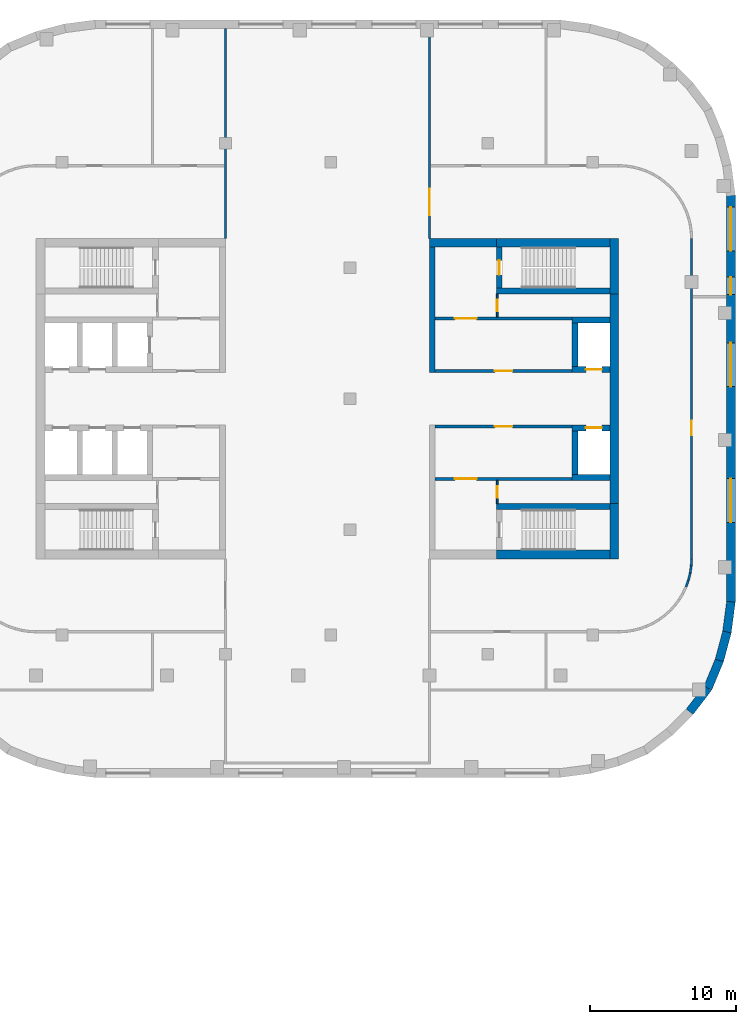
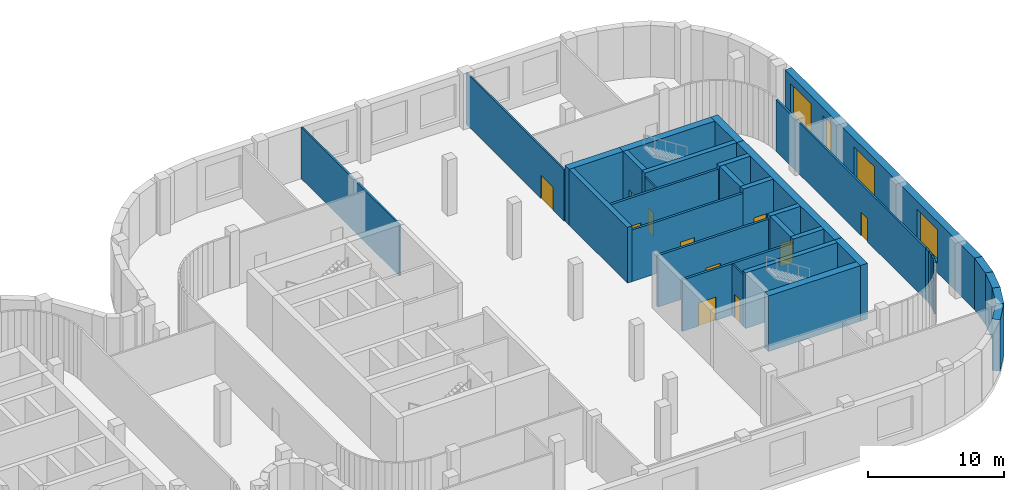
# One storey, part 14 of 18: 34 walls, 11 doors, 4 windows, 15 openings.
"""IFC4 building model written with IfcOpenShell, lengths in metres."""

from ifc_helpers import new_model, si_unit, direction, frame, frame_2d, origin, place, context, subcontext, project, spatial, rectangle, extrude, material, layer, layer_set, type_object, element, fill, save


model = new_model("IFC4")

# Units and contexts
model_context = context("Model", 3, precision=1e-05, world=origin(), true_north=direction((0.0, 1.0)))
body_context = subcontext(model_context, "Body", "Model", "MODEL_VIEW")
ifc_project = project(units=[si_unit("LENGTHUNIT", "METRE"), si_unit("AREAUNIT", "SQUARE_METRE"), si_unit("VOLUMEUNIT", "CUBIC_METRE"), si_unit("PLANEANGLEUNIT", "RADIAN"), si_unit("MASSUNIT", "GRAM", prefix="KILO")], contexts=[model_context])

# Site, building, storey
site_placement = place(None, origin())
site = spatial("IfcSite", under=ifc_project, at=site_placement, CompositionType="ELEMENT")
building_placement = place(site_placement, origin())
building = spatial("IfcBuilding", under=site, at=building_placement, Name="Skarvind Civic Tower", CompositionType="ELEMENT")
storey_placement = place(building_placement, frame((0.0, 0.0, 22.5)))
storey = spatial("IfcBuildingStorey", under=building, at=storey_placement, Name="L04", CompositionType="ELEMENT", Elevation=22.5)

# Wall, opening, door
ifc_material_1 = material(Name="Fire-rated masonry partition", Category="masonry")
ifc_layer_1 = layer(ifc_material_1, 0.199951171875)
ifc_layer_set_1 = layer_set([ifc_layer_1], Name="Core enclosure wall 200")
wall_type_1 = type_object("IfcWallType", Name="Core enclosure wall 200", PredefinedType="PARTITIONING", material=ifc_layer_set_1)
wall_1_placement = place(storey_placement, frame((163.800048828125, 126.10009765625, 0.0), z_axis=(0.0, 0.0, 1.0), x_axis=(-1.0, 0.0, 0.0)))
wall_1 = element("IfcWall", 1, at=wall_1_placement, inside=storey, type_object=wall_type_1, Name="Core wall CB", PredefinedType="PARTITIONING", context=body_context, shape_type="SweptSolid", body=[
    extrude(rectangle(XDim=9.400146484375, YDim=0.199951171875, at=frame_2d((4.7001953125, 0.0))), origin(), (0.0, 0.0, 1.0), 4.625),
])
opening_1_placement = place(wall_1_placement, frame((4.10009765625, 0.0, 0.0)))
opening_1 = element("IfcOpeningElement", 2, at=opening_1_placement, cuts=wall_1, Name="Opening D-L04-CB-03", PredefinedType="OPENING", context=body_context, shape_type="SweptSolid", body=[
    extrude(rectangle(XDim=1.199951171875, YDim=2.10009765625, at=frame_2d((0.60009765625, 1.050048828125))), frame((0.0, 0.10986328125, 0.0), z_axis=(0.0, -1.0, 0.0), x_axis=(1.0, 0.0, 0.0)), (0.0, 0.0, 1.0), 0.219970703125),
])
ifc_material_2 = material(Name="Fire-rated steel door", Category="steel")
door_type_1 = type_object("IfcDoorType", Name="Core lobby door 1200", OperationType="NOTDEFINED", PredefinedType="DOOR", material=ifc_material_2)
door_1_placement = place(opening_1_placement, origin())
door_1 = element("IfcDoor", 3, at=door_1_placement, inside=storey, type_object=door_type_1, Name="Fire door", OperationType="DOUBLE_DOOR_SINGLE_SWING", OverallHeight=2.10009765625, OverallWidth=1.199951171875, PredefinedType="DOOR", context=body_context, shape_type="SweptSolid", body=[
    extrude(rectangle(XDim=1.199951171875, YDim=2.10009765625, at=frame_2d((0.60009765625, 1.050048828125))), frame((0.0, 0.02490234375, 0.0), z_axis=(0.0, -1.0, 0.0), x_axis=(1.0, 0.0, 0.0)), (0.0, 0.0, 1.0), 0.050048828125),
])
fill(opening_1, door_1)

wall_2_placement = place(storey_placement, frame((163.800048828125, 122.5, 0.0), z_axis=(0.0, 0.0, 1.0), x_axis=(-1.0, 0.0, 0.0)))
wall_2 = element("IfcWall", 4, at=wall_2_placement, inside=storey, type_object=wall_type_1, Name="Core wall CB", PredefinedType="PARTITIONING", context=body_context, shape_type="SweptSolid", body=[
    extrude(rectangle(XDim=9.400146484375, YDim=0.199951171875, at=frame_2d((4.7001953125, 0.0))), origin(), (0.0, 0.0, 1.0), 4.625),
])
opening_2_placement = place(wall_2_placement, frame((6.550048828125, 0.0, 0.0)))
opening_2 = element("IfcOpeningElement", 5, at=opening_2_placement, cuts=wall_2, Name="Opening D-L04-CB-04", PredefinedType="OPENING", context=body_context, shape_type="SweptSolid", body=[
    extrude(rectangle(XDim=1.5, YDim=2.10009765625, at=frame_2d((0.75, 1.050048828125))), frame((0.0, 0.10986328125, 0.0), z_axis=(0.0, -1.0, 0.0), x_axis=(1.0, 0.0, 0.0)), (0.0, 0.0, 1.0), 0.219970703125),
])
door_type_2 = type_object("IfcDoorType", Name="Fire door 1500", OperationType="NOTDEFINED", PredefinedType="DOOR", material=ifc_material_2)
door_2_placement = place(opening_2_placement, origin())
door_2 = element("IfcDoor", 6, at=door_2_placement, inside=storey, type_object=door_type_2, Name="Fire door", OperationType="DOUBLE_DOOR_SINGLE_SWING", OverallHeight=2.10009765625, OverallWidth=1.5, PredefinedType="DOOR", context=body_context, shape_type="SweptSolid", body=[
    extrude(rectangle(XDim=1.5, YDim=2.10009765625, at=frame_2d((0.75, 1.050048828125))), frame((0.0, 0.02490234375, 0.0), z_axis=(0.0, -1.0, 0.0), x_axis=(1.0, 0.0, 0.0)), (0.0, 0.0, 1.0), 0.050048828125),
])
fill(opening_2, door_2)

wall_3_placement = place(storey_placement, frame((154.39990234375, 129.89990234375, 0.0), z_axis=(0.0, 0.0, 1.0), x_axis=(1.0, 0.0, 0.0)))
wall_3 = element("IfcWall", 7, at=wall_3_placement, inside=storey, type_object=wall_type_1, Name="Core wall CB", PredefinedType="PARTITIONING", context=body_context, shape_type="SweptSolid", body=[
    extrude(rectangle(XDim=9.400146484375, YDim=0.199951171875, at=frame_2d((4.7001953125, 0.0))), origin(), (0.0, 0.0, 1.0), 4.625),
])
opening_3_placement = place(wall_3_placement, frame((4.10009765625, 0.0, 0.0)))
opening_3 = element("IfcOpeningElement", 8, at=opening_3_placement, cuts=wall_3, Name="Opening D-L04-CB-07", PredefinedType="OPENING", context=body_context, shape_type="SweptSolid", body=[
    extrude(rectangle(XDim=1.199951171875, YDim=2.10009765625, at=frame_2d((0.60009765625, 1.050048828125))), frame((0.0, 0.10986328125, 0.0), z_axis=(0.0, -1.0, 0.0), x_axis=(1.0, 0.0, 0.0)), (0.0, 0.0, 1.0), 0.219970703125),
])
door_3_placement = place(opening_3_placement, origin())
door_3 = element("IfcDoor", 9, at=door_3_placement, inside=storey, type_object=door_type_1, Name="Fire door", OperationType="DOUBLE_DOOR_SINGLE_SWING", OverallHeight=2.10009765625, OverallWidth=1.199951171875, PredefinedType="DOOR", context=body_context, shape_type="SweptSolid", body=[
    extrude(rectangle(XDim=1.199951171875, YDim=2.10009765625, at=frame_2d((0.60009765625, 1.050048828125))), frame((0.0, 0.02490234375, 0.0), z_axis=(0.0, -1.0, 0.0), x_axis=(1.0, 0.0, 0.0)), (0.0, 0.0, 1.0), 0.050048828125),
])
fill(opening_3, door_3)

wall_4_placement = place(storey_placement, frame((154.39990234375, 133.5, 0.0), z_axis=(0.0, 0.0, 1.0), x_axis=(1.0, 0.0, 0.0)))
wall_4 = element("IfcWall", 10, at=wall_4_placement, inside=storey, type_object=wall_type_1, Name="Core wall CB", PredefinedType="PARTITIONING", context=body_context, shape_type="SweptSolid", body=[
    extrude(rectangle(XDim=9.400146484375, YDim=0.199951171875, at=frame_2d((4.7001953125, 0.0))), origin(), (0.0, 0.0, 1.0), 4.625),
])
opening_4_placement = place(wall_4_placement, frame((1.35009765625, 0.0, 0.0)))
opening_4 = element("IfcOpeningElement", 11, at=opening_4_placement, cuts=wall_4, Name="Opening D-L04-CB-08", PredefinedType="OPENING", context=body_context, shape_type="SweptSolid", body=[
    extrude(rectangle(XDim=1.5, YDim=2.10009765625, at=frame_2d((0.75, 1.050048828125))), frame((0.0, 0.10986328125, 0.0), z_axis=(0.0, -1.0, 0.0), x_axis=(1.0, 0.0, 0.0)), (0.0, 0.0, 1.0), 0.219970703125),
])
door_4_placement = place(opening_4_placement, origin())
door_4 = element("IfcDoor", 12, at=door_4_placement, inside=storey, type_object=door_type_2, Name="Fire door", OperationType="DOUBLE_DOOR_SINGLE_SWING", OverallHeight=2.10009765625, OverallWidth=1.5, PredefinedType="DOOR", context=body_context, shape_type="SweptSolid", body=[
    extrude(rectangle(XDim=1.5, YDim=2.10009765625, at=frame_2d((0.75, 1.050048828125))), frame((0.0, 0.02490234375, 0.0), z_axis=(0.0, -1.0, 0.0), x_axis=(1.0, 0.0, 0.0)), (0.0, 0.0, 1.0), 0.050048828125),
])
fill(opening_4, door_4)

# Wall
ifc_material_3 = material(Name="Concrete C80", Category="concrete")
ifc_layer_2 = layer(ifc_material_3, 0.39990234375)
ifc_layer_set_2 = layer_set([ifc_layer_2], Name="Core wall 400 C80")
wall_type_2 = type_object("IfcWallType", Name="Core wall 400 C80", PredefinedType="SHEAR", material=ifc_layer_set_2)
wall_5_placement = place(storey_placement, frame((166.39990234375, 135.39990234375, 0.0), z_axis=(0.0, 0.0, 1.0), x_axis=(-1.0, 0.0, 0.0)))
element("IfcWall", 13, at=wall_5_placement, inside=storey, type_object=wall_type_2, Name="Core wall CB south stair inner L04", PredefinedType="SHEAR", context=body_context, shape_type="SweptSolid", body=[
    extrude(rectangle(XDim=7.7998046875, YDim=0.39990234375, at=frame_2d((3.89990234375, 0.0))), origin(), (0.0, 0.0, 1.0), 5.0),
])

# Wall, opening, door
wall_6_placement = place(storey_placement, frame((158.800048828125, 138.39990234375, 0.0), z_axis=(0.0, 0.0, 1.0), x_axis=(0.0, -1.0, 0.0)))
wall_6 = element("IfcWall", 14, at=wall_6_placement, inside=storey, type_object=wall_type_2, Name="Core wall CB south stair end L04", PredefinedType="SHEAR", context=body_context, shape_type="SweptSolid", body=[
    extrude(rectangle(XDim=2.7998046875, YDim=0.39990234375, at=frame_2d((1.39990234375, 0.0))), origin(), (0.0, 0.0, 1.0), 5.0),
])
opening_5_placement = place(wall_6_placement, frame((0.89990234375, 0.0, 0.0)))
opening_5 = element("IfcOpeningElement", 15, at=opening_5_placement, cuts=wall_6, Name="Opening D-L04-CB-09", PredefinedType="OPENING", context=body_context, shape_type="SweptSolid", body=[
    extrude(rectangle(XDim=1.0, YDim=2.10009765625, at=frame_2d((0.5, 1.050048828125))), frame((0.0, 0.2099609375, 0.0), z_axis=(0.0, -1.0, 0.0), x_axis=(1.0, 0.0, 0.0)), (0.0, 0.0, 1.0), 0.419921875),
])
door_type_3 = type_object("IfcDoorType", Name="Fire door 1000", OperationType="NOTDEFINED", PredefinedType="DOOR", material=ifc_material_2)
door_5_placement = place(opening_5_placement, origin())
door_5 = element("IfcDoor", 16, at=door_5_placement, inside=storey, type_object=door_type_3, Name="Fire door", OperationType="SINGLE_SWING_RIGHT", OverallHeight=2.10009765625, OverallWidth=1.0, PredefinedType="DOOR", context=body_context, shape_type="SweptSolid", body=[
    extrude(rectangle(XDim=1.0, YDim=2.10009765625, at=frame_2d((0.5, 1.050048828125))), frame((0.0, 0.02490234375, 0.0), z_axis=(0.0, -1.0, 0.0), x_axis=(1.0, 0.0, 0.0)), (0.0, 0.0, 1.0), 0.050048828125),
])
fill(opening_5, door_5)

# Wall
wall_7_placement = place(storey_placement, frame((166.39990234375, 120.60009765625, 0.0), z_axis=(0.0, 0.0, 1.0), x_axis=(-1.0, 0.0, 0.0)))
element("IfcWall", 17, at=wall_7_placement, inside=storey, type_object=wall_type_2, Name="Core wall CB north stair inner L04", PredefinedType="SHEAR", context=body_context, shape_type="SweptSolid", body=[
    extrude(rectangle(XDim=7.7998046875, YDim=0.39990234375, at=frame_2d((3.89990234375, 0.0))), origin(), (0.0, 0.0, 1.0), 5.0),
])

# Wall, opening, door
wall_8_placement = place(storey_placement, frame((166.39990234375, 130.0, 0.0), z_axis=(0.0, 0.0, 1.0), x_axis=(-1.0, 0.0, 0.0)))
wall_8 = element("IfcWall", 18, at=wall_8_placement, inside=storey, type_object=wall_type_2, Name="Core wall CB south lift row front L04", PredefinedType="SHEAR", context=body_context, shape_type="SweptSolid", body=[
    extrude(rectangle(XDim=2.599853515625, YDim=0.39990234375, at=frame_2d((1.2998046875, 0.0))), origin(), (0.0, 0.0, 1.0), 5.0),
])
opening_6_placement = place(wall_8_placement, frame((0.550048828125, 0.0, 0.0)))
opening_6 = element("IfcOpeningElement", 19, at=opening_6_placement, cuts=wall_8, Name="Opening LD06402", PredefinedType="OPENING", context=body_context, shape_type="SweptSolid", body=[
    extrude(rectangle(XDim=1.10009765625, YDim=2.10009765625, at=frame_2d((0.550048828125, 1.050048828125))), frame((0.0, 0.2099609375, 0.0), z_axis=(0.0, -1.0, 0.0), x_axis=(1.0, 0.0, 0.0)), (0.0, 0.0, 1.0), 0.419921875),
])
ifc_material_4 = material(Name="Stainless steel landing door", Category="steel")
door_type_4 = type_object("IfcDoorType", Name="Lift landing door 1100", OperationType="DOUBLE_DOOR_SLIDING", PredefinedType="DOOR", material=ifc_material_4)
door_6_placement = place(opening_6_placement, origin())
door_6 = element("IfcDoor", 20, at=door_6_placement, inside=storey, type_object=door_type_4, Name="Lift landing door", OperationType="DOUBLE_DOOR_SLIDING", OverallHeight=2.10009765625, OverallWidth=1.10009765625, PredefinedType="DOOR", context=body_context, shape_type="SweptSolid", body=[
    extrude(rectangle(XDim=1.10009765625, YDim=2.10009765625, at=frame_2d((0.550048828125, 1.050048828125))), frame((0.0, 0.02490234375, 0.0), z_axis=(0.0, -1.0, 0.0), x_axis=(1.0, 0.0, 0.0)), (0.0, 0.0, 1.0), 0.050048828125),
])
fill(opening_6, door_6)

# Walls
wall_9_placement = place(storey_placement, frame((166.39990234375, 133.39990234375, 0.0), z_axis=(0.0, 0.0, 1.0), x_axis=(-1.0, 0.0, 0.0)))
element("IfcWall", 21, at=wall_9_placement, inside=storey, type_object=wall_type_2, Name="Core wall CB south lift row back L04", PredefinedType="SHEAR", context=body_context, shape_type="SweptSolid", body=[
    extrude(rectangle(XDim=2.599853515625, YDim=0.39990234375, at=frame_2d((1.2998046875, 0.0))), origin(), (0.0, 0.0, 1.0), 5.0),
])
wall_10_placement = place(storey_placement, frame((164.0, 133.199951171875, 0.0), z_axis=(0.0, 0.0, 1.0), x_axis=(0.0, -1.0, 0.0)))
element("IfcWall", 22, at=wall_10_placement, inside=storey, type_object=wall_type_2, Name="Core wall CB south lift row division 1 L04", PredefinedType="SHEAR", context=body_context, shape_type="SweptSolid", body=[
    extrude(rectangle(XDim=3.0, YDim=0.39990234375, at=frame_2d((1.5, 0.0))), origin(), (0.0, 0.0, 1.0), 5.0),
])

# Wall, opening, door
wall_11_placement = place(storey_placement, frame((166.39990234375, 126.0, 0.0), z_axis=(0.0, 0.0, 1.0), x_axis=(-1.0, 0.0, 0.0)))
wall_11 = element("IfcWall", 23, at=wall_11_placement, inside=storey, type_object=wall_type_2, Name="Core wall CB north lift row front L04", PredefinedType="SHEAR", context=body_context, shape_type="SweptSolid", body=[
    extrude(rectangle(XDim=2.599853515625, YDim=0.39990234375, at=frame_2d((1.2998046875, 0.0))), origin(), (0.0, 0.0, 1.0), 5.0),
])
opening_7_placement = place(wall_11_placement, frame((0.550048828125, 0.0, 0.0)))
opening_7 = element("IfcOpeningElement", 24, at=opening_7_placement, cuts=wall_11, Name="Opening LD06401", PredefinedType="OPENING", context=body_context, shape_type="SweptSolid", body=[
    extrude(rectangle(XDim=1.10009765625, YDim=2.10009765625, at=frame_2d((0.550048828125, 1.050048828125))), frame((0.0, 0.2099609375, 0.0), z_axis=(0.0, -1.0, 0.0), x_axis=(1.0, 0.0, 0.0)), (0.0, 0.0, 1.0), 0.419921875),
])
door_7_placement = place(opening_7_placement, origin())
door_7 = element("IfcDoor", 25, at=door_7_placement, inside=storey, type_object=door_type_4, Name="Lift landing door", OperationType="DOUBLE_DOOR_SLIDING", OverallHeight=2.10009765625, OverallWidth=1.10009765625, PredefinedType="DOOR", context=body_context, shape_type="SweptSolid", body=[
    extrude(rectangle(XDim=1.10009765625, YDim=2.10009765625, at=frame_2d((0.550048828125, 1.050048828125))), frame((0.0, 0.02490234375, 0.0), z_axis=(0.0, -1.0, 0.0), x_axis=(1.0, 0.0, 0.0)), (0.0, 0.0, 1.0), 0.050048828125),
])
fill(opening_7, door_7)

# Walls
wall_12_placement = place(storey_placement, frame((166.39990234375, 122.60009765625, 0.0), z_axis=(0.0, 0.0, 1.0), x_axis=(-1.0, 0.0, 0.0)))
element("IfcWall", 26, at=wall_12_placement, inside=storey, type_object=wall_type_2, Name="Core wall CB north lift row back L04", PredefinedType="SHEAR", context=body_context, shape_type="SweptSolid", body=[
    extrude(rectangle(XDim=2.599853515625, YDim=0.39990234375, at=frame_2d((1.2998046875, 0.0))), origin(), (0.0, 0.0, 1.0), 5.0),
])
wall_13_placement = place(storey_placement, frame((164.0, 125.800048828125, 0.0), z_axis=(0.0, 0.0, 1.0), x_axis=(0.0, -1.0, 0.0)))
element("IfcWall", 27, at=wall_13_placement, inside=storey, type_object=wall_type_2, Name="Core wall CB north lift row division 1 L04", PredefinedType="SHEAR", context=body_context, shape_type="SweptSolid", body=[
    extrude(rectangle(XDim=3.0, YDim=0.39990234375, at=frame_2d((1.5, 0.0))), origin(), (0.0, 0.0, 1.0), 5.0),
])
wall_14_placement = place(storey_placement, frame((154.199951171875, 138.39990234375, 0.0), z_axis=(0.0, 0.0, 1.0), x_axis=(0.0, -1.0, 0.0)))
element("IfcWall", 28, at=wall_14_placement, inside=storey, type_object=wall_type_2, Name="Core wall CB south inner face L04", PredefinedType="SHEAR", context=body_context, shape_type="SweptSolid", body=[
    extrude(rectangle(XDim=8.599853515625, YDim=0.39990234375, at=frame_2d((4.2998046875, 0.0))), origin(), (0.0, 0.0, 1.0), 5.0),
])
ifc_layer_3 = layer(ifc_material_3, 0.60009765625)
ifc_layer_set_3 = layer_set([ifc_layer_3], Name="Core wall 600 C80")
wall_type_3 = type_object("IfcWallType", Name="Core wall 600 C80", PredefinedType="SHEAR", material=ifc_layer_set_3)
wall_15_placement = place(storey_placement, frame((166.699951171875, 139.0, 0.0), z_axis=(0.0, 0.0, 1.0), x_axis=(0.0, -1.0, 0.0)))
element("IfcWall", 29, at=wall_15_placement, inside=storey, type_object=wall_type_3, Name="Core wall CB tip at the south stair L04", PredefinedType="SHEAR", context=body_context, shape_type="SweptSolid", body=[
    extrude(rectangle(XDim=3.800048828125, YDim=0.60009765625, at=frame_2d((1.89990234375, 0.0))), origin(), (0.0, 0.0, 1.0), 5.0),
])
wall_16_placement = place(storey_placement, frame((166.699951171875, 135.199951171875, 0.0), z_axis=(0.0, 0.0, 1.0), x_axis=(0.0, -1.0, 0.0)))
element("IfcWall", 30, at=wall_16_placement, inside=storey, type_object=wall_type_3, Name="Core wall CB tip between the stairs L04", PredefinedType="SHEAR", context=body_context, shape_type="SweptSolid", body=[
    extrude(rectangle(XDim=14.39990234375, YDim=0.60009765625, at=frame_2d((7.199951171875, 0.0))), origin(), (0.0, 0.0, 1.0), 5.0),
])
wall_17_placement = place(storey_placement, frame((166.699951171875, 120.800048828125, 0.0), z_axis=(0.0, 0.0, 1.0), x_axis=(0.0, -1.0, 0.0)))
element("IfcWall", 31, at=wall_17_placement, inside=storey, type_object=wall_type_3, Name="Core wall CB tip at the north stair L04", PredefinedType="SHEAR", context=body_context, shape_type="SweptSolid", body=[
    extrude(rectangle(XDim=3.800048828125, YDim=0.60009765625, at=frame_2d((1.89990234375, 0.0))), origin(), (0.0, 0.0, 1.0), 5.0),
])
for number, where, z_axis, x_axis, name in (
    (32, (166.39990234375, 138.699951171875, 0.0), (0.0, 0.0, 1.0), (-1.0, 0.0, 0.0), "Core wall CB south side at the stair L04"),
    (33, (166.39990234375, 117.300048828125, 0.0), (0.0, 0.0, 1.0), (-1.0, 0.0, 0.0), "Core wall CB north side at the stair L04"),
):
    element("IfcWall", number, at=place(storey_placement, frame(where, z_axis=z_axis, x_axis=x_axis)), inside=storey, type_object=wall_type_3, Name=name, PredefinedType="SHEAR", context=body_context, shape_type="SweptSolid", body=[
        extrude(rectangle(XDim=7.7998046875, YDim=0.60009765625, at=frame_2d((3.89990234375, 0.0))), origin(), (0.0, 0.0, 1.0), 5.0),
    ])
wall_18_placement = place(storey_placement, frame((158.60009765625, 138.699951171875, 0.0), z_axis=(0.0, 0.0, 1.0), x_axis=(-1.0, 0.0, 0.0)))
element("IfcWall", 34, at=wall_18_placement, inside=storey, type_object=wall_type_3, Name="Core wall CB south side L04", PredefinedType="SHEAR", context=body_context, shape_type="SweptSolid", body=[
    extrude(rectangle(XDim=4.60009765625, YDim=0.60009765625, at=frame_2d((2.300048828125, 0.0))), origin(), (0.0, 0.0, 1.0), 5.0),
])
ifc_material_5 = material(Name="Plasterboard partition on steel studs", Category="steel")
ifc_layer_4 = layer(ifc_material_5, 0.14990234375)
ifc_layer_set_4 = layer_set([ifc_layer_4], Name="PARTITION 150")
wall_type_4 = type_object("IfcWallType", Name="PARTITION 150", PredefinedType="PARTITIONING", material=ifc_layer_set_4)
wall_19_placement = place(storey_placement, frame((140.0, 139.0, 0.0), z_axis=(0.0, 0.0, 1.0), x_axis=(0.0, 1.0, 0.0)))
element("IfcWall", 35, at=wall_19_placement, inside=storey, type_object=wall_type_4, Name="Podium partition L04 242", PredefinedType="PARTITIONING", context=body_context, shape_type="SweptSolid", body=[
    extrude(rectangle(XDim=14.39990234375, YDim=0.14990234375, at=frame_2d((7.199951171875, 0.0))), origin(), (0.0, 0.0, 1.0), 4.625),
])

# Wall, opening, door
wall_20_placement = place(storey_placement, frame((154.0, 153.39990234375, 0.0), z_axis=(0.0, 0.0, 1.0), x_axis=(0.0, -1.0, 0.0)))
wall_20 = element("IfcWall", 36, at=wall_20_placement, inside=storey, type_object=wall_type_4, Name="Podium partition L04 246", PredefinedType="PARTITIONING", context=body_context, shape_type="SweptSolid", body=[
    extrude(rectangle(XDim=14.39990234375, YDim=0.14990234375, at=frame_2d((7.199951171875, 0.0))), origin(), (0.0, 0.0, 1.0), 4.625),
])
opening_8_placement = place(wall_20_placement, frame((11.0, 0.0, 0.0)))
opening_8 = element("IfcOpeningElement", 37, at=opening_8_placement, cuts=wall_20, Name="Opening L04-D224", PredefinedType="OPENING", context=body_context, shape_type="SweptSolid", body=[
    extrude(rectangle(XDim=1.800048828125, YDim=2.10009765625, at=frame_2d((0.89990234375, 1.050048828125))), frame((0.0, 0.0849609375, 0.0), z_axis=(0.0, -1.0, 0.0), x_axis=(1.0, 0.0, 0.0)), (0.0, 0.0, 1.0), 0.169921875),
])
ifc_material_6 = material(Name="Timber veneer door leaf", Category="wood")
door_type_5 = type_object("IfcDoorType", Name="DOOR 1800X2100 DOUBLE TIMBER", OperationType="NOTDEFINED", PredefinedType="DOOR", material=ifc_material_6)
door_8_placement = place(opening_8_placement, origin())
door_8 = element("IfcDoor", 38, at=door_8_placement, inside=storey, type_object=door_type_5, Name="DOOR DOOR", OperationType="DOUBLE_DOOR_SINGLE_SWING", OverallHeight=2.10009765625, OverallWidth=1.800048828125, PredefinedType="DOOR", context=body_context, shape_type="SweptSolid", body=[
    extrude(rectangle(XDim=1.800048828125, YDim=2.10009765625, at=frame_2d((0.89990234375, 1.050048828125))), frame((0.0, 0.02490234375, 0.0), z_axis=(0.0, -1.0, 0.0), x_axis=(1.0, 0.0, 0.0)), (0.0, 0.0, 1.0), 0.050048828125),
])
fill(opening_8, door_8)

# Walls
wall_21_placement = place(storey_placement, frame((171.617919921875, 115.083984375, 0.0), z_axis=(0.0, 0.0, 1.0), x_axis=(0.3371744988, 0.941442168887, 0.0)))
element("IfcWall", 39, at=wall_21_placement, inside=storey, type_object=wall_type_4, Name="Podium partition L04 274", PredefinedType="PARTITIONING", context=body_context, shape_type="SweptSolid", body=[
    extrude(rectangle(XDim=0.498046875, YDim=0.14990234375, at=frame_2d((0.2490234375, 0.0))), origin(), (0.0, 0.0, 1.0), 4.625),
])
wall_22_placement = place(storey_placement, frame((171.783935546875, 115.544921875, 0.0), z_axis=(0.0, 0.0, 1.0), x_axis=(0.242650732785, 0.970113715952, 0.0)))
element("IfcWall", 40, at=wall_22_placement, inside=storey, type_object=wall_type_4, Name="Podium partition L04 276", PredefinedType="PARTITIONING", context=body_context, shape_type="SweptSolid", body=[
    extrude(rectangle(XDim=0.4990234375, YDim=0.14990234375, at=frame_2d((0.24951171875, 0.0))), origin(), (0.0, 0.0, 1.0), 4.625),
])
wall_23_placement = place(storey_placement, frame((171.903076171875, 116.02099609375, 0.0), z_axis=(0.0, 0.0, 1.0), x_axis=(0.148412307247, 0.988925572052, 0.0)))
element("IfcWall", 41, at=wall_23_placement, inside=storey, type_object=wall_type_4, Name="Podium partition L04 278", PredefinedType="PARTITIONING", context=body_context, shape_type="SweptSolid", body=[
    extrude(rectangle(XDim=0.49853515625, YDim=0.14990234375, at=frame_2d((0.249267578125, 0.0))), origin(), (0.0, 0.0, 1.0), 4.625),
])
wall_24_placement = place(storey_placement, frame((171.97607421875, 116.506103515625, 0.0), z_axis=(0.0, 0.0, 1.0), x_axis=(0.048196018647, 0.998837896651, 0.0)))
element("IfcWall", 42, at=wall_24_placement, inside=storey, type_object=wall_type_4, Name="Podium partition L04 280", PredefinedType="PARTITIONING", context=body_context, shape_type="SweptSolid", body=[
    extrude(rectangle(XDim=0.496337890625, YDim=0.14990234375, at=frame_2d((0.248046875, 0.0))), origin(), (0.0, 0.0, 1.0), 4.625),
])

# Wall, opening, door
wall_25_placement = place(storey_placement, frame((172.0, 139.001953125, 0.0), z_axis=(0.0, 0.0, 1.0), x_axis=(0.0, -1.0, 0.0)))
wall_25 = element("IfcWall", 43, at=wall_25_placement, inside=storey, type_object=wall_type_4, Name="Podium partition L04 282", PredefinedType="PARTITIONING", context=body_context, shape_type="SweptSolid", body=[
    extrude(rectangle(XDim=22.00390625, YDim=0.14990234375, at=frame_2d((11.001953125, 0.0))), origin(), (0.0, 0.0, 1.0), 4.625),
])
opening_9_placement = place(wall_25_placement, frame((12.5, 0.0, 0.0)))
opening_9 = element("IfcOpeningElement", 44, at=opening_9_placement, cuts=wall_25, Name="Opening L04-D228", PredefinedType="OPENING", context=body_context, shape_type="SweptSolid", body=[
    extrude(rectangle(XDim=1.0, YDim=2.10009765625, at=frame_2d((0.5, 1.050048828125))), frame((0.0, 0.0849609375, 0.0), z_axis=(0.0, -1.0, 0.0), x_axis=(1.0, 0.0, 0.0)), (0.0, 0.0, 1.0), 0.169921875),
])
door_type_6 = type_object("IfcDoorType", Name="DOOR 1000X2100 TIMBER", OperationType="NOTDEFINED", PredefinedType="DOOR", material=ifc_material_6)
door_9_placement = place(opening_9_placement, origin())
door_9 = element("IfcDoor", 45, at=door_9_placement, inside=storey, type_object=door_type_6, Name="DOOR DOOR", OperationType="SINGLE_SWING_RIGHT", OverallHeight=2.10009765625, OverallWidth=1.0, PredefinedType="DOOR", context=body_context, shape_type="SweptSolid", body=[
    extrude(rectangle(XDim=1.0, YDim=2.10009765625, at=frame_2d((0.5, 1.050048828125))), frame((0.0, 0.02490234375, 0.0), z_axis=(0.0, -1.0, 0.0), x_axis=(1.0, 0.0, 0.0)), (0.0, 0.0, 1.0), 0.050048828125),
])
fill(opening_9, door_9)

ifc_layer_5 = layer(ifc_material_1, 0.125)
ifc_layer_set_5 = layer_set([ifc_layer_5], Name="Riser wall 125")
wall_type_5 = type_object("IfcWallType", Name="Riser wall 125", PredefinedType="PARTITIONING", material=ifc_layer_set_5)
wall_26_placement = place(storey_placement, frame((158.66259765625, 120.800048828125, 0.0), z_axis=(0.0, 0.0, 1.0), x_axis=(0.0, 1.0, 0.0)))
wall_26 = element("IfcWall", 46, at=wall_26_placement, inside=storey, type_object=wall_type_5, Name="Core wall CB", PredefinedType="PARTITIONING", context=body_context, shape_type="SweptSolid", body=[
    extrude(rectangle(XDim=1.599853515625, YDim=0.125, at=frame_2d((0.7998046875, 0.0))), origin(), (0.0, 0.0, 1.0), 4.625),
])
opening_10_placement = place(wall_26_placement, frame((0.39990234375, 0.0, 0.0)))
opening_10 = element("IfcOpeningElement", 47, at=opening_10_placement, cuts=wall_26, Name="Opening D-L04-CB-06", PredefinedType="OPENING", context=body_context, shape_type="SweptSolid", body=[
    extrude(rectangle(XDim=0.800048828125, YDim=2.10009765625, at=frame_2d((0.39990234375, 1.050048828125))), frame((0.0, 0.072509765625, 0.0), z_axis=(0.0, -1.0, 0.0), x_axis=(1.0, 0.0, 0.0)), (0.0, 0.0, 1.0), 0.14501953125),
])
door_type_7 = type_object("IfcDoorType", Name="Core riser door 800", OperationType="NOTDEFINED", PredefinedType="DOOR", material=ifc_material_2)
door_10_placement = place(opening_10_placement, origin())
door_10 = element("IfcDoor", 48, at=door_10_placement, inside=storey, type_object=door_type_7, Name="Riser door", OperationType="SINGLE_SWING_RIGHT", OverallHeight=2.10009765625, OverallWidth=0.800048828125, PredefinedType="DOOR", context=body_context, shape_type="SweptSolid", body=[
    extrude(rectangle(XDim=0.800048828125, YDim=2.10009765625, at=frame_2d((0.39990234375, 1.050048828125))), frame((0.0, 0.02490234375, 0.0), z_axis=(0.0, -1.0, 0.0), x_axis=(1.0, 0.0, 0.0)), (0.0, 0.0, 1.0), 0.050048828125),
])
fill(opening_10, door_10)

wall_27_placement = place(storey_placement, frame((158.66259765625, 133.60009765625, 0.0), z_axis=(0.0, 0.0, 1.0), x_axis=(0.0, 1.0, 0.0)))
wall_27 = element("IfcWall", 49, at=wall_27_placement, inside=storey, type_object=wall_type_5, Name="Core wall CB", PredefinedType="PARTITIONING", context=body_context, shape_type="SweptSolid", body=[
    extrude(rectangle(XDim=1.599853515625, YDim=0.125, at=frame_2d((0.7998046875, 0.0))), origin(), (0.0, 0.0, 1.0), 4.625),
])
opening_11_placement = place(wall_27_placement, frame((0.39990234375, 0.0, 0.0)))
opening_11 = element("IfcOpeningElement", 50, at=opening_11_placement, cuts=wall_27, Name="Opening D-L04-CB-10", PredefinedType="OPENING", context=body_context, shape_type="SweptSolid", body=[
    extrude(rectangle(XDim=0.800048828125, YDim=2.10009765625, at=frame_2d((0.39990234375, 1.050048828125))), frame((0.0, 0.072509765625, 0.0), z_axis=(0.0, -1.0, 0.0), x_axis=(1.0, 0.0, 0.0)), (0.0, 0.0, 1.0), 0.14501953125),
])
door_11_placement = place(opening_11_placement, origin())
door_11 = element("IfcDoor", 51, at=door_11_placement, inside=storey, type_object=door_type_7, Name="Riser door", OperationType="SINGLE_SWING_LEFT", OverallHeight=2.10009765625, OverallWidth=0.800048828125, PredefinedType="DOOR", context=body_context, shape_type="SweptSolid", body=[
    extrude(rectangle(XDim=0.800048828125, YDim=2.10009765625, at=frame_2d((0.39990234375, 1.050048828125))), frame((0.0, 0.02490234375, 0.0), z_axis=(0.0, -1.0, 0.0), x_axis=(1.0, 0.0, 0.0)), (0.0, 0.0, 1.0), 0.050048828125),
])
fill(opening_11, door_11)

# Walls
ifc_material_7 = material(Name="Limestone masonry cladding on insulated backing", Category="masonry")
ifc_layer_6 = layer(ifc_material_7, 0.60009765625)
ifc_layer_set_6 = layer_set([ifc_layer_6], Name="WX1 STONE FACADE WALL 600")
wall_type_6 = type_object("IfcWallType", Name="WX1 STONE FACADE WALL 600", PredefinedType="SOLIDWALL", material=ifc_layer_set_6)
wall_28_placement = place(storey_placement, frame((173.109375, 108.12841796875, 0.0), z_axis=(0.0, 0.0, 1.0), x_axis=(-0.609058260448, -0.793125485267, 0.0)))
element("IfcWall", 52, at=wall_28_placement, inside=storey, type_object=wall_type_6, Name="STONE FACADE WALL", PredefinedType="SOLIDWALL", context=body_context, shape_type="SweptSolid", body=[
    extrude(rectangle(XDim=2.0439453125, YDim=0.60009765625, at=frame_2d((1.02197265625, 0.0))), origin(), (0.0, 0.0, 1.0), 4.625),
])
wall_29_placement = place(storey_placement, frame((173.921142578125, 110.0693359375, 0.0), z_axis=(0.0, 0.0, 1.0), x_axis=(-0.382375593358, -0.924006983526, 0.0)))
element("IfcWall", 53, at=wall_29_placement, inside=storey, type_object=wall_type_6, Name="STONE FACADE WALL", PredefinedType="SOLIDWALL", context=body_context, shape_type="SweptSolid", body=[
    extrude(rectangle(XDim=2.114013671875, YDim=0.60009765625, at=frame_2d((1.05712890625, 0.0))), origin(), (0.0, 0.0, 1.0), 4.625),
])
wall_30_placement = place(storey_placement, frame((174.431884765625, 111.986083984375, 0.0), z_axis=(0.0, 0.0, 1.0), x_axis=(-0.258804467146, -0.965929732323, 0.0)))
element("IfcWall", 54, at=wall_30_placement, inside=storey, type_object=wall_type_6, Name="STONE FACADE WALL", PredefinedType="SOLIDWALL", context=body_context, shape_type="SweptSolid", body=[
    extrude(rectangle(XDim=2.0224609375, YDim=0.60009765625, at=frame_2d((1.01123046875, 0.0))), origin(), (0.0, 0.0, 1.0), 4.625),
])
wall_31_placement = place(storey_placement, frame((174.70263671875, 114.06103515625, 0.0), z_axis=(0.0, 0.0, 1.0), x_axis=(-0.130558200013, -0.991440646942, 0.0)))
element("IfcWall", 55, at=wall_31_placement, inside=storey, type_object=wall_type_6, Name="STONE FACADE WALL", PredefinedType="SOLIDWALL", context=body_context, shape_type="SweptSolid", body=[
    extrude(rectangle(XDim=2.1318359375, YDim=0.60009765625, at=frame_2d((1.06591796875, 0.0))), origin(), (0.0, 0.0, 1.0), 4.625),
])

# Wall, openings, windows
wall_32_placement = place(storey_placement, frame((174.699951171875, 141.978271484375, 0.0), z_axis=(0.0, 0.0, 1.0), x_axis=(0.0, -1.0, 0.0)))
wall_32 = element("IfcWall", 56, at=wall_32_placement, inside=storey, type_object=wall_type_6, Name="STONE FACADE WALL", PredefinedType="SOLIDWALL", context=body_context, shape_type="SweptSolid", body=[
    extrude(rectangle(XDim=27.95654296875, YDim=0.60009765625, at=frame_2d((13.978271484375, 0.0))), origin(), (0.0, 0.0, 1.0), 4.625),
])
opening_12_placement = place(wall_32_placement, frame((0.82958984375, 0.0, 0.89990234375)))
opening_12 = element("IfcOpeningElement", 57, at=opening_12_placement, cuts=wall_32, Name="Opening WN2", PredefinedType="OPENING", context=body_context, shape_type="SweptSolid", body=[
    extrude(rectangle(XDim=3.0, YDim=3.0, at=frame_2d((1.5, 1.5))), frame((0.0, 0.31005859375, 0.0), z_axis=(0.0, -1.0, 0.0), x_axis=(1.0, 0.0, 0.0)), (0.0, 0.0, 1.0), 0.6201171875),
])
opening_13_placement = place(wall_32_placement, frame((5.628173828125, 0.0, 0.89990234375)))
opening_13 = element("IfcOpeningElement", 58, at=opening_13_placement, cuts=wall_32, Name="Opening WN6", PredefinedType="OPENING", context=body_context, shape_type="SweptSolid", body=[
    extrude(rectangle(XDim=1.199951171875, YDim=3.0, at=frame_2d((0.60009765625, 1.5))), frame((0.0, 0.31005859375, 0.0), z_axis=(0.0, -1.0, 0.0), x_axis=(1.0, 0.0, 0.0)), (0.0, 0.0, 1.0), 0.6201171875),
])
opening_14_placement = place(wall_32_placement, frame((10.1484375, 0.0, 0.89990234375)))
opening_14 = element("IfcOpeningElement", 59, at=opening_14_placement, cuts=wall_32, Name="Opening WN2", PredefinedType="OPENING", context=body_context, shape_type="SweptSolid", body=[
    extrude(rectangle(XDim=3.0, YDim=3.0, at=frame_2d((1.5, 1.5))), frame((0.0, 0.31005859375, 0.0), z_axis=(0.0, -1.0, 0.0), x_axis=(1.0, 0.0, 0.0)), (0.0, 0.0, 1.0), 0.6201171875),
])
opening_15_placement = place(wall_32_placement, frame((19.46728515625, 0.0, 0.89990234375)))
opening_15 = element("IfcOpeningElement", 60, at=opening_15_placement, cuts=wall_32, Name="Opening WN2", PredefinedType="OPENING", context=body_context, shape_type="SweptSolid", body=[
    extrude(rectangle(XDim=3.0, YDim=3.0, at=frame_2d((1.5, 1.5))), frame((0.0, 0.31005859375, 0.0), z_axis=(0.0, -1.0, 0.0), x_axis=(1.0, 0.0, 0.0)), (0.0, 0.0, 1.0), 0.6201171875),
])
ifc_material_8 = material(Name="Timber frame, double glazing, timber-lined reveal", Category="wood")
window_type_1 = type_object("IfcWindowType", Name="WN2 PODIUM STONE WINDOW 3000 x 3000", PartitioningType="SINGLE_PANEL", PredefinedType="WINDOW", material=ifc_material_8)
window_1_placement = place(opening_12_placement, origin())
window_1 = element("IfcWindow", 61, at=window_1_placement, inside=storey, type_object=window_type_1, Name="WN2 WINDOW", OverallHeight=3.0, OverallWidth=3.0, PartitioningType="SINGLE_PANEL", PredefinedType="WINDOW", context=body_context, shape_type="SweptSolid", body=[
    extrude(rectangle(XDim=3.0, YDim=3.0, at=frame_2d((1.5, 1.5))), frame((0.0, 0.030029296875, 0.0), z_axis=(0.0, -1.0, 0.0), x_axis=(1.0, 0.0, 0.0)), (0.0, 0.0, 1.0), 0.06005859375),
])
fill(opening_12, window_1)
window_2_placement = place(opening_14_placement, origin())
window_2 = element("IfcWindow", 62, at=window_2_placement, inside=storey, type_object=window_type_1, Name="WN2 WINDOW", OverallHeight=3.0, OverallWidth=3.0, PartitioningType="SINGLE_PANEL", PredefinedType="WINDOW", context=body_context, shape_type="SweptSolid", body=[
    extrude(rectangle(XDim=3.0, YDim=3.0, at=frame_2d((1.5, 1.5))), frame((0.0, 0.030029296875, 0.0), z_axis=(0.0, -1.0, 0.0), x_axis=(1.0, 0.0, 0.0)), (0.0, 0.0, 1.0), 0.06005859375),
])
fill(opening_14, window_2)
window_3_placement = place(opening_15_placement, origin())
window_3 = element("IfcWindow", 63, at=window_3_placement, inside=storey, type_object=window_type_1, Name="WN2 WINDOW", OverallHeight=3.0, OverallWidth=3.0, PartitioningType="SINGLE_PANEL", PredefinedType="WINDOW", context=body_context, shape_type="SweptSolid", body=[
    extrude(rectangle(XDim=3.0, YDim=3.0, at=frame_2d((1.5, 1.5))), frame((0.0, 0.030029296875, 0.0), z_axis=(0.0, -1.0, 0.0), x_axis=(1.0, 0.0, 0.0)), (0.0, 0.0, 1.0), 0.06005859375),
])
fill(opening_15, window_3)
window_type_2 = type_object("IfcWindowType", Name="WN6 NARROW PODIUM WINDOW 1200 x 3000", PartitioningType="SINGLE_PANEL", PredefinedType="WINDOW", material=ifc_material_8)
window_4_placement = place(opening_13_placement, origin())
window_4 = element("IfcWindow", 64, at=window_4_placement, inside=storey, type_object=window_type_2, Name="WN6 WINDOW", OverallHeight=3.0, OverallWidth=1.199951171875, PartitioningType="SINGLE_PANEL", PredefinedType="WINDOW", context=body_context, shape_type="SweptSolid", body=[
    extrude(rectangle(XDim=1.199951171875, YDim=3.0, at=frame_2d((0.60009765625, 1.5))), frame((0.0, 0.030029296875, 0.0), z_axis=(0.0, -1.0, 0.0), x_axis=(1.0, 0.0, 0.0)), (0.0, 0.0, 1.0), 0.06005859375),
])
fill(opening_13, window_4)

save(model, "model.ifc")
